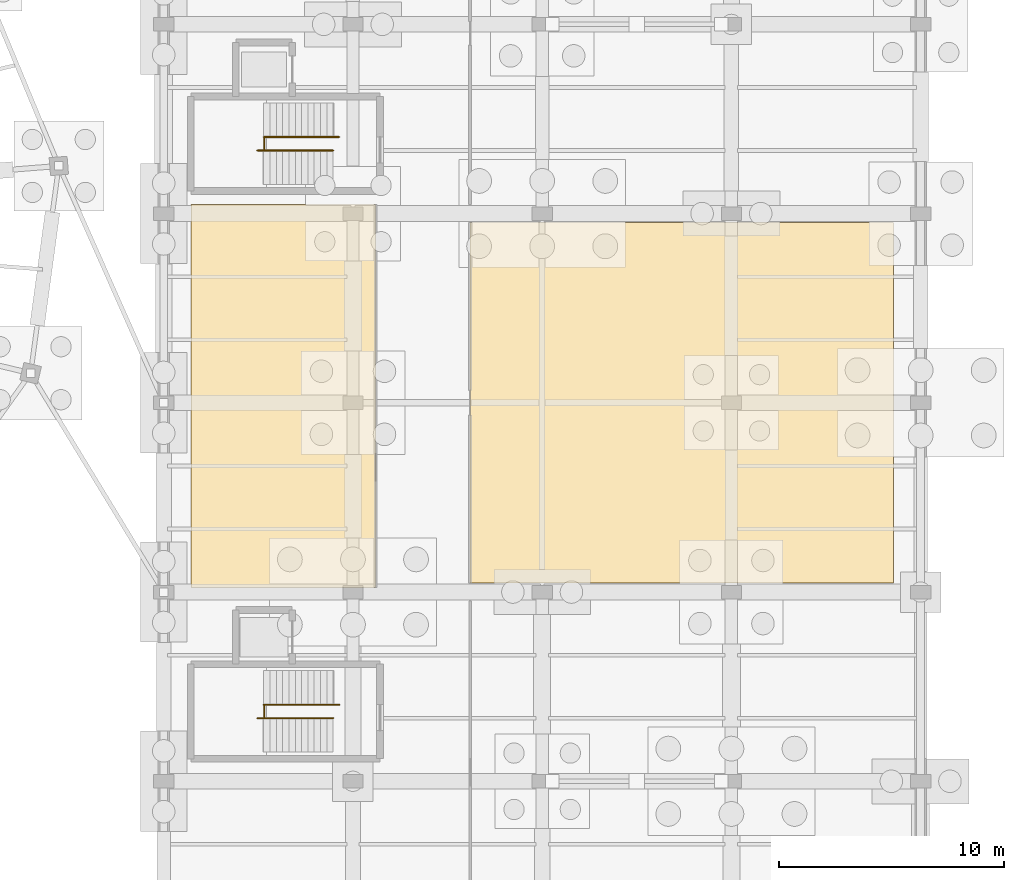
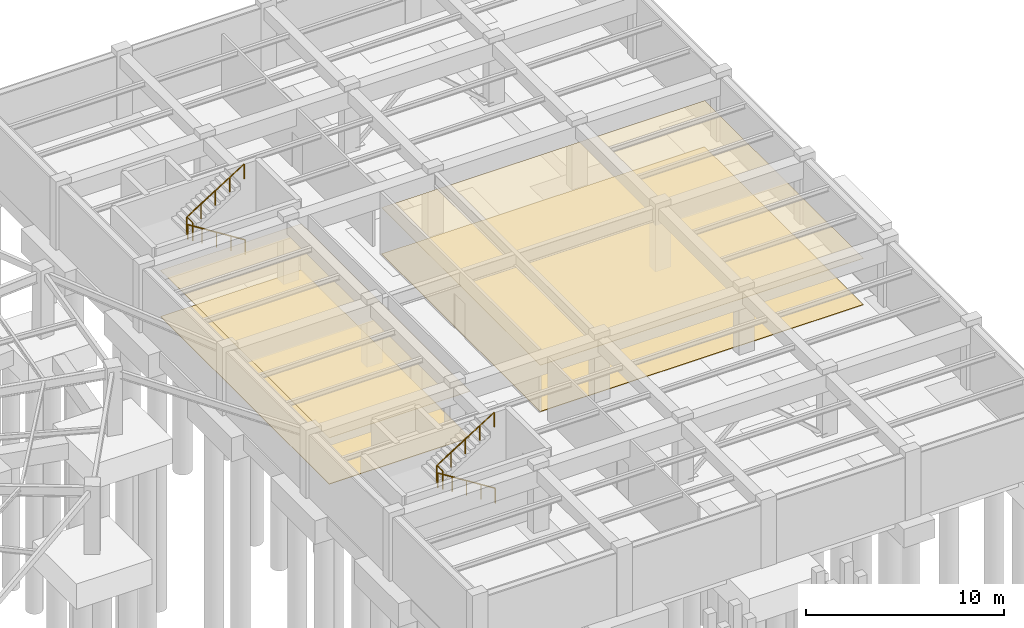
# One storey, part 37 of 38: 6 railings, 4 coverings.
"""IFC4 building model written with IfcOpenShell, lengths in metres."""

from ifc_helpers import new_model, si_unit, direction, frame, origin, origin_2d, place, context, subcontext, project, spatial, polyline, circle, outline, extrude, material, layer, layer_set, type_object, element, save


model = new_model("IFC4")

# Units and contexts
model_context = context("Model", 3, precision=1e-05, world=origin(), true_north=direction((0.0, 1.0)))
body_context = subcontext(model_context, "Body", "Model", "MODEL_VIEW")
ifc_project = project(units=[si_unit("LENGTHUNIT", "METRE"), si_unit("AREAUNIT", "SQUARE_METRE"), si_unit("VOLUMEUNIT", "CUBIC_METRE"), si_unit("PLANEANGLEUNIT", "RADIAN"), si_unit("MASSUNIT", "GRAM", prefix="KILO"), si_unit("THERMODYNAMICTEMPERATUREUNIT", "KELVIN"), si_unit("POWERUNIT", "WATT")], contexts=[model_context])

# Site, building, storey
site_placement = place(None, origin())
site = spatial("IfcSite", under=ifc_project, at=site_placement, CompositionType="ELEMENT")
building_placement = place(site_placement, origin())
building = spatial("IfcBuilding", under=site, at=building_placement, Name="Darbajah Civic Hall", CompositionType="ELEMENT")
storey_placement = place(building_placement, frame((0.0, 0.0, -4.199951171875)))
storey = spatial("IfcBuildingStorey", under=building, at=storey_placement, Name="B01", CompositionType="ELEMENT", Elevation=-4.199951171875)

# Railings
ifc_material_1 = material(Name="Brushed Bronze Stainless Steel", Category="steel")
railing_type_1 = type_object("IfcRailingType", Name="Brushed Bronze Handrail", PredefinedType="HANDRAIL", material=ifc_material_1)
railing_1_placement = place(storey_placement, frame((152.1201171875, 92.800048828125, 0.175048828125)))
element("IfcRailing", 1, at=railing_1_placement, inside=storey, type_object=railing_type_1, Name="ST08 B01 lower flight handrail", PredefinedType="HANDRAIL", context=body_context, shape_type="SweptSolid", body=[
    extrude(circle(Radius=0.02392578125, at=origin_2d()), frame((-0.023193359375, 0.0, 0.910400390625), z_axis=(-0.845972016735, 0.0, 0.533227293844), x_axis=(0.0, -1.0, 0.0)), (0.0, 0.0, 1.0), 3.917236328125),
    extrude(circle(Radius=0.02099609375, at=origin_2d()), origin(), (0.0, 0.0, 1.0), 0.867919921875),
    extrude(circle(Radius=0.02099609375, at=origin_2d()), frame((-0.840087890625, 0.0, 0.529541015625)), (0.0, 0.0, 1.0), 0.867919921875),
    extrude(circle(Radius=0.02099609375, at=origin_2d()), frame((-1.68017578125, 0.0, 1.05908203125)), (0.0, 0.0, 1.0), 0.867919921875),
    extrude(circle(Radius=0.02099609375, at=origin_2d()), frame((-2.52001953125, 0.0, 1.58837890625)), (0.0, 0.0, 1.0), 0.867919921875),
    extrude(circle(Radius=0.02099609375, at=origin_2d()), frame((-3.360107421875, 0.0, 2.117919921875)), (0.0, 0.0, 1.0), 0.867919921875),
])
railing_2_placement = place(storey_placement, frame((149.0400390625, 93.39990234375, 2.27490234375)))
element("IfcRailing", 2, at=railing_2_placement, inside=storey, type_object=railing_type_1, Name="ST08 B01 upper flight handrail", PredefinedType="HANDRAIL", context=body_context, shape_type="SweptSolid", body=[
    extrude(circle(Radius=0.02392578125, at=origin_2d()), frame((0.023193359375, 0.0, 0.910400390625), z_axis=(0.845926808262, 0.0, 0.533299010935), x_axis=(0.0, 1.0, 0.0)), (0.0, 0.0, 1.0), 3.917236328125),
    extrude(circle(Radius=0.02099609375, at=origin_2d()), origin(), (0.0, 0.0, 1.0), 0.867919921875),
    extrude(circle(Radius=0.02099609375, at=origin_2d()), frame((0.83984375, 0.0, 0.529541015625)), (0.0, 0.0, 1.0), 0.867919921875),
    extrude(circle(Radius=0.02099609375, at=origin_2d()), frame((1.679931640625, 0.0, 1.05908203125)), (0.0, 0.0, 1.0), 0.867919921875),
    extrude(circle(Radius=0.02099609375, at=origin_2d()), frame((2.52001953125, 0.0, 1.588623046875)), (0.0, 0.0, 1.0), 0.867919921875),
    extrude(circle(Radius=0.02099609375, at=origin_2d()), frame((3.35986328125, 0.0, 2.1181640625)), (0.0, 0.0, 1.0), 0.867919921875),
])
railing_3_placement = place(storey_placement, frame((152.1201171875, 67.60009765625, 0.175048828125)))
element("IfcRailing", 3, at=railing_3_placement, inside=storey, type_object=railing_type_1, Name="ST09 B01 lower flight handrail", PredefinedType="HANDRAIL", context=body_context, shape_type="SweptSolid", body=[
    extrude(circle(Radius=0.02392578125, at=origin_2d()), frame((-0.023193359375, 0.0, 0.910400390625), z_axis=(-0.845972016735, 0.0, 0.533227293844), x_axis=(0.0, -1.0, 0.0)), (0.0, 0.0, 1.0), 3.917236328125),
    extrude(circle(Radius=0.02099609375, at=origin_2d()), origin(), (0.0, 0.0, 1.0), 0.867919921875),
    extrude(circle(Radius=0.02099609375, at=origin_2d()), frame((-0.840087890625, 0.0, 0.529541015625)), (0.0, 0.0, 1.0), 0.867919921875),
    extrude(circle(Radius=0.02099609375, at=origin_2d()), frame((-1.68017578125, 0.0, 1.05908203125)), (0.0, 0.0, 1.0), 0.867919921875),
    extrude(circle(Radius=0.02099609375, at=origin_2d()), frame((-2.52001953125, 0.0, 1.58837890625)), (0.0, 0.0, 1.0), 0.867919921875),
    extrude(circle(Radius=0.02099609375, at=origin_2d()), frame((-3.360107421875, 0.0, 2.117919921875)), (0.0, 0.0, 1.0), 0.867919921875),
])
railing_4_placement = place(storey_placement, frame((149.0400390625, 68.199951171875, 2.27490234375)))
element("IfcRailing", 4, at=railing_4_placement, inside=storey, type_object=railing_type_1, Name="ST09 B01 upper flight handrail", PredefinedType="HANDRAIL", context=body_context, shape_type="SweptSolid", body=[
    extrude(circle(Radius=0.02392578125, at=origin_2d()), frame((0.023193359375, 0.0, 0.910400390625), z_axis=(0.845926808262, 0.0, 0.533299010935), x_axis=(0.0, 1.0, 0.0)), (0.0, 0.0, 1.0), 3.917236328125),
    extrude(circle(Radius=0.02099609375, at=origin_2d()), origin(), (0.0, 0.0, 1.0), 0.867919921875),
    extrude(circle(Radius=0.02099609375, at=origin_2d()), frame((0.83984375, 0.0, 0.529541015625)), (0.0, 0.0, 1.0), 0.867919921875),
    extrude(circle(Radius=0.02099609375, at=origin_2d()), frame((1.679931640625, 0.0, 1.05908203125)), (0.0, 0.0, 1.0), 0.867919921875),
    extrude(circle(Radius=0.02099609375, at=origin_2d()), frame((2.52001953125, 0.0, 1.588623046875)), (0.0, 0.0, 1.0), 0.867919921875),
    extrude(circle(Radius=0.02099609375, at=origin_2d()), frame((3.35986328125, 0.0, 2.1181640625)), (0.0, 0.0, 1.0), 0.867919921875),
])

# Coverings
ifc_material_2 = material(Name="Honed Qatari Limestone Terrazzo", Category="masonry")
ifc_layer_1 = layer(ifc_material_2, 0.030029296875, Name="Honed Qatari Limestone Terrazzo")
ifc_layer_set_1 = layer_set([ifc_layer_1], Name="Honed Qatari Limestone Terrazzo")
covering_type_1 = type_object("IfcCoveringType", Name="Honed Qatari Limestone Terrazzo Flooring", PredefinedType="FLOORING", material=ifc_layer_set_1)
covering_1_placement = place(storey_placement, origin())
element("IfcCovering", 5, at=covering_1_placement, inside=storey, type_object=covering_type_1, Name="B01 stone terrazzo flooring B01-09", PredefinedType="FLOORING", context=body_context, shape_type="SweptSolid", body=[
    extrude(outline(polyline([(158.199951171875, 73.60009765625), (177.0, 73.60009765625), (177.0, 89.60009765625), (158.199951171875, 89.60009765625), (158.199951171875, 73.60009765625)])), origin(), (0.0, 0.0, 1.0), 0.030029296875),
])
covering_2_placement = place(storey_placement, origin())
element("IfcCovering", 6, at=covering_2_placement, inside=storey, type_object=covering_type_1, Name="B01 stone terrazzo flooring B01-11", PredefinedType="FLOORING", context=body_context, shape_type="SweptSolid", body=[
    extrude(outline(polyline([(145.800048828125, 73.39990234375), (154.0, 73.39990234375), (154.0, 90.39990234375), (145.800048828125, 90.39990234375), (145.800048828125, 73.39990234375)])), origin(), (0.0, 0.0, 1.0), 0.030029296875),
])

# Railings
ifc_material_3 = material(Name="Brushed Bronze and Laminated Safety Glass", Category="glass")
railing_type_2 = type_object("IfcRailingType", Name="Interior Guard Balustrade", PredefinedType="BALUSTRADE", material=ifc_material_3)
for number, where, name in (
    (7, (149.06005859375, 92.800048828125, 2.099853515625), "ST08 B01 landing well guard"),
    (8, (149.06005859375, 67.60009765625, 2.099853515625), "ST09 B01 landing well guard"),
):
    element("IfcRailing", number, at=place(storey_placement, frame(where)), inside=storey, type_object=railing_type_2, Name=name, PredefinedType="BALUSTRADE", context=body_context, shape_type="SweptSolid", body=[
        extrude(circle(Radius=0.02392578125, at=origin_2d()), frame((0.0, 0.02734375, 1.09619140625), z_axis=(0.0, 1.0, 0.0), x_axis=(-1.0, 0.0, 0.0)), (0.0, 0.0, 1.0), 0.545166015625),
        extrude(circle(Radius=0.02099609375, at=origin_2d()), origin(), (0.0, 0.0, 1.0), 1.068115234375),
        extrude(circle(Radius=0.02099609375, at=origin_2d()), frame((0.0, 0.599853515625, 0.0)), (0.0, 0.0, 1.0), 1.068115234375),
    ])

# Coverings
ifc_material_4 = material(Name="Perforated Acoustic Gypsum Board")
ifc_layer_2 = layer(ifc_material_4, 0.02490234375, Name="Perforated Acoustic Gypsum Board")
ifc_layer_set_2 = layer_set([ifc_layer_2], Name="Perforated Acoustic Gypsum Board")
covering_type_2 = type_object("IfcCoveringType", Name="Perforated Acoustic Gypsum Ceiling", PredefinedType="CEILING", material=ifc_layer_set_2)
covering_3_placement = place(storey_placement, frame((0.0, 0.0, 2.849853515625)))
element("IfcCovering", 9, at=covering_3_placement, inside=storey, type_object=covering_type_2, Name="B01 acoustic suspended ceiling B01-09", PredefinedType="CEILING", context=body_context, shape_type="SweptSolid", body=[
    extrude(outline(polyline([(158.199951171875, 73.60009765625), (177.0, 73.60009765625), (177.0, 89.60009765625), (158.199951171875, 89.60009765625), (158.199951171875, 73.60009765625)])), origin(), (0.0, 0.0, 1.0), 0.025146484375),
])
covering_4_placement = place(storey_placement, frame((0.0, 0.0, 2.849853515625)))
element("IfcCovering", 10, at=covering_4_placement, inside=storey, type_object=covering_type_2, Name="B01 acoustic suspended ceiling B01-11", PredefinedType="CEILING", context=body_context, shape_type="SweptSolid", body=[
    extrude(outline(polyline([(145.800048828125, 73.39990234375), (154.0, 73.39990234375), (154.0, 90.39990234375), (145.800048828125, 90.39990234375), (145.800048828125, 73.39990234375)])), origin(), (0.0, 0.0, 1.0), 0.025146484375),
])

save(model, "model.ifc")
